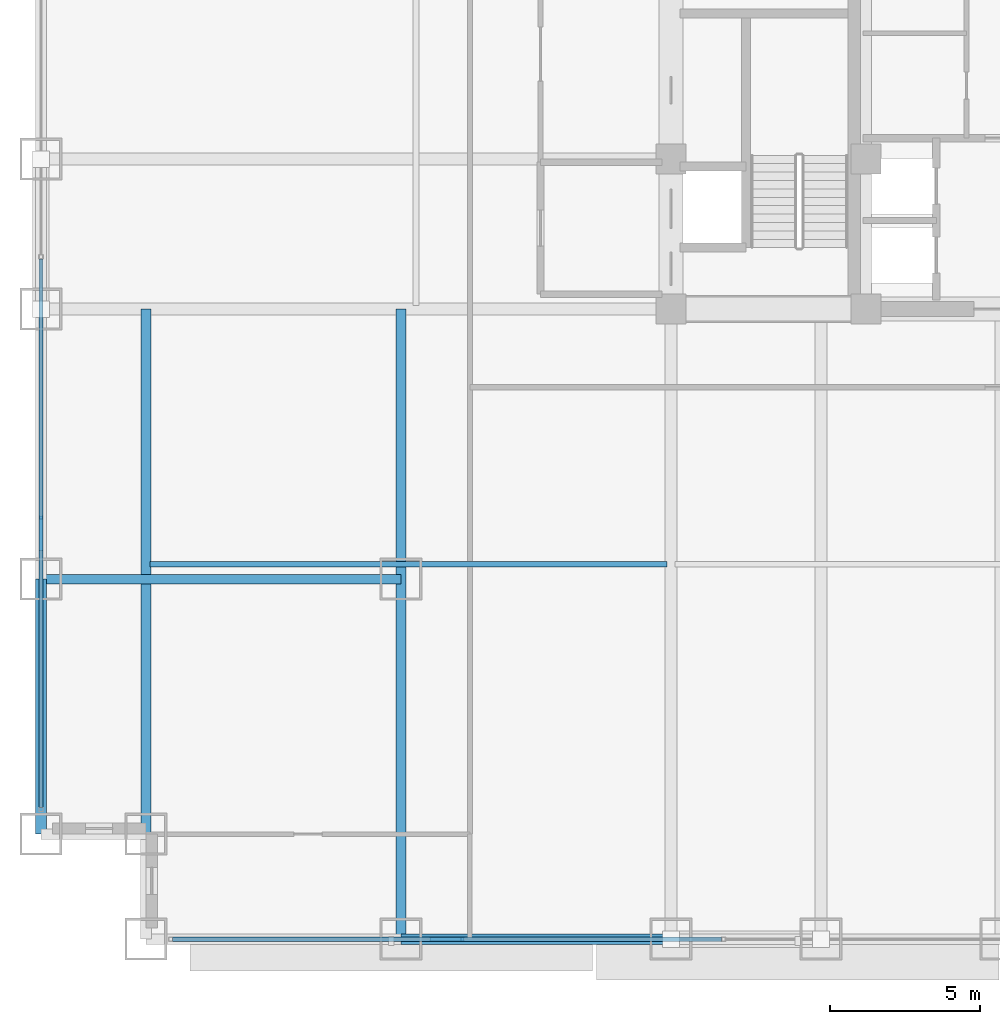
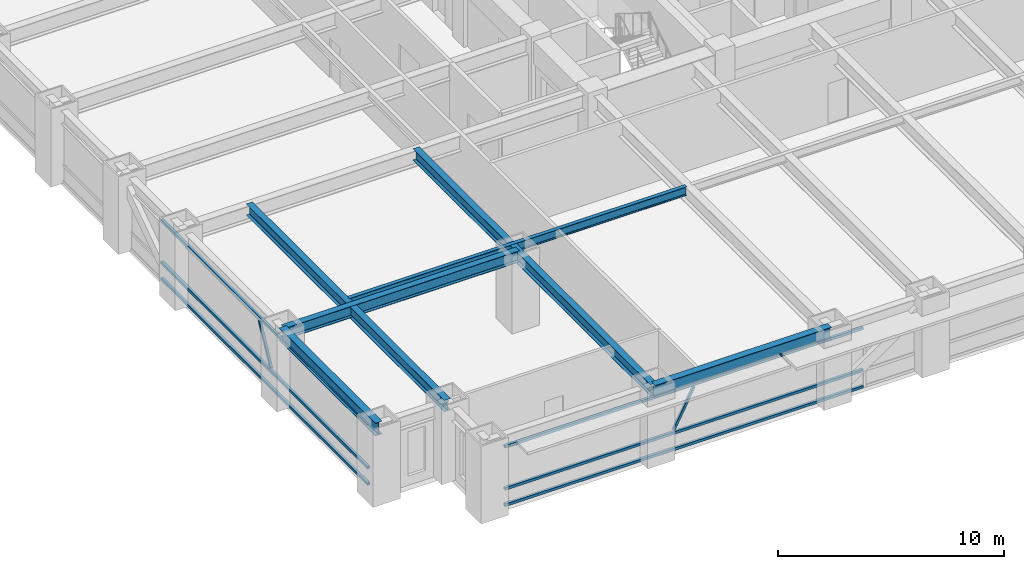
# One storey, part 3 of 31: 8 members, 6 beams, 2 elements without a shape of their own.
"""IFC4 building model written with IfcOpenShell, lengths in metres."""

from ifc_helpers import new_model, si_unit, direction, frame, origin, origin_2d, place, context, subcontext, project, spatial, hollow_rectangle, i_section, extrude, source, transform, mapped, material, material_profile, profile_set, type_object, element, aggregate, save


model = new_model("IFC4")

# Units and contexts
model_context = context("Model", 3, precision=1e-05, world=origin(), true_north=direction((0.0, 1.0)))
body_context = subcontext(model_context, "Body", "Model", "MODEL_VIEW")
ifc_project = project(units=[si_unit("LENGTHUNIT", "METRE"), si_unit("AREAUNIT", "SQUARE_METRE"), si_unit("VOLUMEUNIT", "CUBIC_METRE"), si_unit("PLANEANGLEUNIT", "RADIAN"), si_unit("MASSUNIT", "GRAM", prefix="KILO")], contexts=[model_context])

# Site, building, storey
site_placement = place(None, origin())
site = spatial("IfcSite", under=ifc_project, at=site_placement, CompositionType="ELEMENT")
building_placement = place(site_placement, origin())
building = spatial("IfcBuilding", under=site, at=building_placement, Name="Khorayat Bourse Tower", CompositionType="ELEMENT")
storey_placement = place(building_placement, frame((0.0, 0.0, 41.0)))
storey = spatial("IfcBuildingStorey", under=building, at=storey_placement, Name="L08", CompositionType="ELEMENT", Elevation=41.0)

# Beams
ifc_material_1 = material(Name="Steel ASTM A992 Grade 50", Category="steel")
ifc_material_profile_1 = material_profile(ifc_material_1, i_section(OverallWidth=0.35498046875, OverallDepth=0.695068359375, WebThickness=0.015380859375, FlangeThickness=0.02490234375, FilletRadius=0.01806640625, at=origin_2d()), Name="W690X217")
ifc_profile_set_1 = profile_set([ifc_material_profile_1], Name="Steel ASTM A992 Grade 50")
beam_type_1 = type_object("IfcBeamType", Name="BM-SPAN-690", PredefinedType="SPANDREL", material=ifc_profile_set_1)
shared_shape_1 = source(origin(), body_context, "Body", "SweptSolid", [
    extrude(i_section(OverallWidth=0.35498046875, OverallDepth=0.695068359375, WebThickness=0.015380859375, FlangeThickness=0.02490234375, FilletRadius=0.01806640625, at=origin_2d()), origin(), (0.0, 0.0, 1.0), 8.5),
])
beam_1_placement = place(storey_placement, frame((-32.0, -28.5, 3.592529296875), z_axis=(0.0, 1.0, 0.0), x_axis=(-1.0, 0.0, 0.0)))
element("IfcBeam", 1, at=beam_1_placement, inside=storey, type_object=beam_type_1, Name="L08 BM-SPAN-690 BM-L08-SPN-061", PredefinedType="SPANDREL", context=body_context, shape_type="MappedRepresentation", body=[
    mapped(shared_shape_1, transform((0.0, 0.0, 0.0), scale=1.0)),
])
shared_shape_2 = source(origin(), body_context, "Body", "SweptSolid", [
    extrude(i_section(OverallWidth=0.35498046875, OverallDepth=0.695068359375, WebThickness=0.015380859375, FlangeThickness=0.02490234375, FilletRadius=0.01806640625, at=origin_2d()), origin(), (0.0, 0.0, 1.0), 9.0),
])
beam_2_placement = place(storey_placement, frame((-20.0, -32.0, 3.592529296875), z_axis=(1.0, 0.0, 0.0), x_axis=(0.0, 1.0, 0.0)))
element("IfcBeam", 2, at=beam_2_placement, inside=storey, type_object=beam_type_1, Name="L08 BM-SPAN-690 BM-L08-SPN-025", PredefinedType="SPANDREL", context=body_context, shape_type="MappedRepresentation", body=[
    mapped(shared_shape_2, transform((0.0, 0.0, 0.0), scale=1.0)),
])
ifc_material_profile_2 = material_profile(ifc_material_1, i_section(OverallWidth=0.324951171875, OverallDepth=0.615966796875, WebThickness=0.013916015625, FlangeThickness=0.021484375, FilletRadius=0.01611328125, at=origin_2d()), Name="W610X174")
ifc_profile_set_2 = profile_set([ifc_material_profile_2], Name="Steel ASTM A992 Grade 50")
beam_type_2 = type_object("IfcBeamType", Name="BM-GIRD-610", PredefinedType="BEAM", material=ifc_profile_set_2)
shared_shape_3 = source(origin(), body_context, "Body", "SweptSolid", [
    extrude(i_section(OverallWidth=0.324951171875, OverallDepth=0.615966796875, WebThickness=0.013916015625, FlangeThickness=0.021484375, FilletRadius=0.01611328125, at=origin_2d()), origin(), (0.0, 0.0, 1.0), 21.0),
])
beam_3_placement = place(storey_placement, frame((-20.0, -32.0, 3.632080078125), z_axis=(0.0, 1.0, 0.0), x_axis=(-1.0, 0.0, 0.0)))
element("IfcBeam", 3, at=beam_3_placement, inside=storey, type_object=beam_type_2, Name="L08 BM-GIRD-610 BM-L08-CNRY-084", PredefinedType="BEAM", context=body_context, shape_type="MappedRepresentation", body=[
    mapped(shared_shape_3, transform((0.0, 0.0, 0.0), scale=1.0)),
])
shared_shape_4 = source(origin(), body_context, "Body", "SweptSolid", [
    extrude(i_section(OverallWidth=0.324951171875, OverallDepth=0.615966796875, WebThickness=0.013916015625, FlangeThickness=0.021484375, FilletRadius=0.01611328125, at=origin_2d()), origin(), (0.0, 0.0, 1.0), 17.5),
])
beam_4_placement = place(storey_placement, frame((-28.5, -28.5, 3.632080078125), z_axis=(0.0, 1.0, 0.0), x_axis=(-1.0, 0.0, 0.0)))
element("IfcBeam", 4, at=beam_4_placement, inside=storey, type_object=beam_type_2, Name="L08 BM-GIRD-610 BM-L08-CNRY-088", PredefinedType="BEAM", context=body_context, shape_type="MappedRepresentation", body=[
    mapped(shared_shape_4, transform((0.0, 0.0, 0.0), scale=1.0)),
])
shared_shape_5 = source(origin(), body_context, "Body", "SweptSolid", [
    extrude(i_section(OverallWidth=0.324951171875, OverallDepth=0.615966796875, WebThickness=0.013916015625, FlangeThickness=0.021484375, FilletRadius=0.01611328125, at=origin_2d()), origin(), (0.0, 0.0, 1.0), 12.0),
])
beam_5_placement = place(storey_placement, frame((-32.0, -20.0, 3.632080078125), z_axis=(1.0, 0.0, 0.0), x_axis=(0.0, 1.0, 0.0)))
element("IfcBeam", 5, at=beam_5_placement, inside=storey, type_object=beam_type_2, Name="L08 BM-GIRD-610 BM-L08-CNRX-093", PredefinedType="BEAM", context=body_context, shape_type="MappedRepresentation", body=[
    mapped(shared_shape_5, transform((0.0, 0.0, 0.0), scale=1.0)),
])
ifc_material_profile_3 = material_profile(ifc_material_1, i_section(OverallWidth=0.194091796875, OverallDepth=0.468994140625, WebThickness=0.0126953125, FlangeThickness=0.0205078125, FilletRadius=0.012939453125, at=origin_2d()), Name="W460X106")
ifc_profile_set_3 = profile_set([ifc_material_profile_3], Name="Steel ASTM A992 Grade 50")
beam_type_3 = type_object("IfcBeamType", Name="BM-JOIST-460", PredefinedType="JOIST", material=ifc_profile_set_3)
shared_shape_6 = source(origin(), body_context, "Body", "SweptSolid", [
    extrude(i_section(OverallWidth=0.194091796875, OverallDepth=0.468994140625, WebThickness=0.0126953125, FlangeThickness=0.0205078125, FilletRadius=0.012939453125, at=origin_2d()), origin(), (0.0, 0.0, 1.0), 17.240234375),
])
beam_6_placement = place(storey_placement, frame((-28.3701171875, -19.5, 3.70556640625), z_axis=(1.0, 0.0, 0.0), x_axis=(0.0, 1.0, 0.0)))
element("IfcBeam", 6, at=beam_6_placement, inside=storey, type_object=beam_type_3, Name="L08 BM-JOIST-460 BM-L08-JSTX-096", PredefinedType="JOIST", context=body_context, shape_type="MappedRepresentation", body=[
    mapped(shared_shape_6, transform((0.0, 0.0, 0.0), scale=1.0)),
])

# Curtain wall, members
ifc_material_2 = material(Name="Aluminium EN AW-6063 T6", Category="aluminium")
curtain_wall_type = type_object("IfcCurtainWallType", Name="CW-SYS-02", PredefinedType="NOTDEFINED", material=ifc_material_2)
curtain_wall_1_placement = place(storey_placement, origin())
curtain_wall_1 = element("IfcCurtainWall", 7, at=curtain_wall_1_placement, inside=storey, type_object=curtain_wall_type, Name="L08 Curtain Wall CW-L08-S1", PredefinedType="NOTDEFINED")
ifc_material_profile_4 = material_profile(ifc_material_2, hollow_rectangle(XDim=0.139892578125, YDim=0.139892578125, WallThickness=0.006103515625, at=origin_2d()), Name="ALU 140x140x6")
ifc_profile_set_4 = profile_set([ifc_material_profile_4], Name="Aluminium EN AW-6063 T6")
member_type_1 = type_object("IfcMemberType", Name="CWT-HORZ-140", PredefinedType="USERDEFINED", material=ifc_profile_set_4)
shared_shape_7 = source(origin(), body_context, "Body", "SweptSolid", [
    extrude(hollow_rectangle(XDim=0.139892578125, YDim=0.139892578125, WallThickness=0.006103515625, at=origin_2d()), origin(), (0.0, 0.0, 1.0), 18.2900390625),
])
member_1_placement = place(storey_placement, frame((-27.610107421875, -32.0, 0.070068359375), z_axis=(1.0, 0.0, 0.0), x_axis=(0.0, 1.0, 0.0)))
member_1 = element("IfcMember", 8, at=member_1_placement, type_object=member_type_1, Name="CW-L08-S1 Horizontal Transom 1-1", ObjectType="TRANSOM", PredefinedType="USERDEFINED", context=body_context, shape_type="MappedRepresentation", body=[
    mapped(shared_shape_7, transform((0.0, 0.0, 0.0), scale=1.0)),
])
member_2_placement = place(storey_placement, frame((-27.610107421875, -32.0, 0.949951171875), z_axis=(1.0, 0.0, 0.0), x_axis=(0.0, 1.0, 0.0)))
member_2 = element("IfcMember", 9, at=member_2_placement, type_object=member_type_1, Name="CW-L08-S1 Horizontal Transom 1-2", ObjectType="TRANSOM", PredefinedType="USERDEFINED", context=body_context, shape_type="MappedRepresentation", body=[
    mapped(shared_shape_7, transform((0.0, 0.0, 0.0), scale=1.0)),
])
member_3_placement = place(storey_placement, frame((-27.610107421875, -32.0, 3.219970703125), z_axis=(1.0, 0.0, 0.0), x_axis=(0.0, 1.0, 0.0)))
member_3 = element("IfcMember", 10, at=member_3_placement, type_object=member_type_1, Name="CW-L08-S1 Horizontal Transom 1-3", ObjectType="TRANSOM", PredefinedType="USERDEFINED", context=body_context, shape_type="MappedRepresentation", body=[
    mapped(shared_shape_7, transform((0.0, 0.0, 0.0), scale=1.0)),
])

curtain_wall_2_placement = place(storey_placement, origin())
curtain_wall_2 = element("IfcCurtainWall", 11, at=curtain_wall_2_placement, inside=storey, type_object=curtain_wall_type, Name="L08 Curtain Wall CW-L08-W1", PredefinedType="NOTDEFINED")
member_4_placement = place(storey_placement, frame((-32.0, -27.610107421875, 0.070068359375), z_axis=(0.0, 1.0, 0.0), x_axis=(-1.0, 0.0, 0.0)))
member_4 = element("IfcMember", 12, at=member_4_placement, type_object=member_type_1, Name="CW-L08-W1 Horizontal Transom 1-1", ObjectType="TRANSOM", PredefinedType="USERDEFINED", context=body_context, shape_type="MappedRepresentation", body=[
    mapped(shared_shape_7, transform((0.0, 0.0, 0.0), scale=1.0)),
])
member_5_placement = place(storey_placement, frame((-32.0, -27.610107421875, 0.949951171875), z_axis=(0.0, 1.0, 0.0), x_axis=(-1.0, 0.0, 0.0)))
member_5 = element("IfcMember", 13, at=member_5_placement, type_object=member_type_1, Name="CW-L08-W1 Horizontal Transom 1-2", ObjectType="TRANSOM", PredefinedType="USERDEFINED", context=body_context, shape_type="MappedRepresentation", body=[
    mapped(shared_shape_7, transform((0.0, 0.0, 0.0), scale=1.0)),
])
member_6_placement = place(storey_placement, frame((-32.0, -27.610107421875, 3.219970703125), z_axis=(0.0, 1.0, 0.0), x_axis=(-1.0, 0.0, 0.0)))
member_6 = element("IfcMember", 14, at=member_6_placement, type_object=member_type_1, Name="CW-L08-W1 Horizontal Transom 1-3", ObjectType="TRANSOM", PredefinedType="USERDEFINED", context=body_context, shape_type="MappedRepresentation", body=[
    mapped(shared_shape_7, transform((0.0, 0.0, 0.0), scale=1.0)),
])

# Member
ifc_material_profile_5 = material_profile(ifc_material_2, hollow_rectangle(XDim=0.1201171875, YDim=0.1201171875, WallThickness=0.0048828125, at=origin_2d()), Name="ALU 120x120x5")
ifc_profile_set_5 = profile_set([ifc_material_profile_5], Name="Aluminium EN AW-6063 T6")
member_type_2 = type_object("IfcMemberType", Name="CWM-DIAG-120", PredefinedType="MULLION", material=ifc_profile_set_5)
shared_shape_8 = source(origin(), body_context, "Body", "SweptSolid", [
    extrude(hollow_rectangle(XDim=0.1201171875, YDim=0.1201171875, WallThickness=0.0048828125, at=origin_2d()), origin(), (0.0, 0.0, 1.0), 2.22607421875),
])
member_7_placement = place(storey_placement, frame((-18.9833984375, -32.0, 1.10009765625), z_axis=(0.465759992596, 0.0, 0.884911085532), x_axis=(0.0, 1.0, 0.0)))
member_7 = element("IfcMember", 15, at=member_7_placement, type_object=member_type_2, Name="CW-L08-S1 Faceted Diagonal Mullion 1", PredefinedType="MULLION", context=body_context, shape_type="MappedRepresentation", body=[
    mapped(shared_shape_8, transform((0.0, 0.0, 0.0), scale=1.0)),
])

aggregate(curtain_wall_1, [member_1, member_2, member_3, member_7])

member_8_placement = place(storey_placement, frame((-32.0, -18.9833984375, 1.10009765625), z_axis=(0.0, 0.465759992596, 0.884911085532), x_axis=(-1.0, 0.0, 0.0)))
member_8 = element("IfcMember", 16, at=member_8_placement, type_object=member_type_2, Name="CW-L08-W1 Faceted Diagonal Mullion 1", PredefinedType="MULLION", context=body_context, shape_type="MappedRepresentation", body=[
    mapped(shared_shape_8, transform((0.0, 0.0, 0.0), scale=1.0)),
])

aggregate(curtain_wall_2, [member_4, member_5, member_6, member_8])

save(model, "model.ifc")
